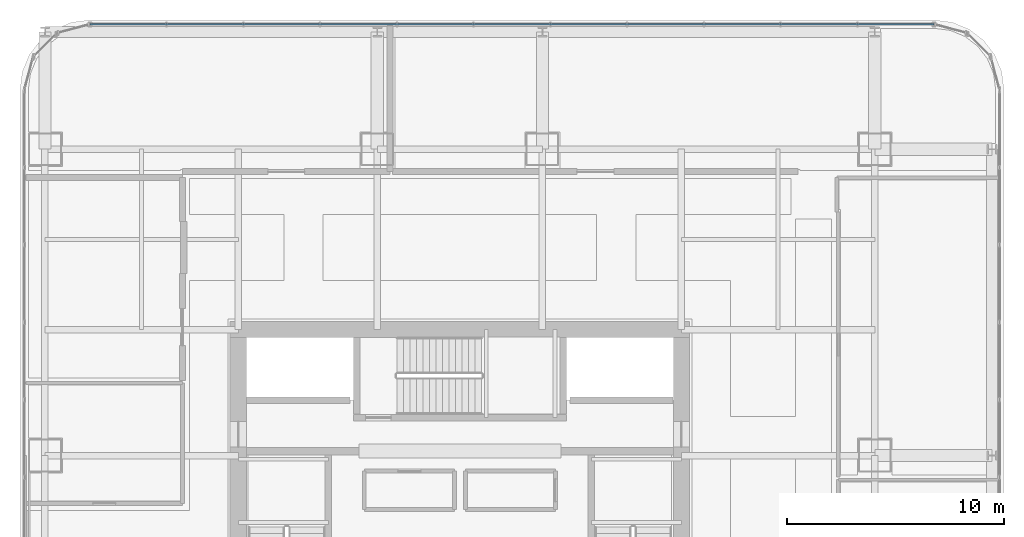
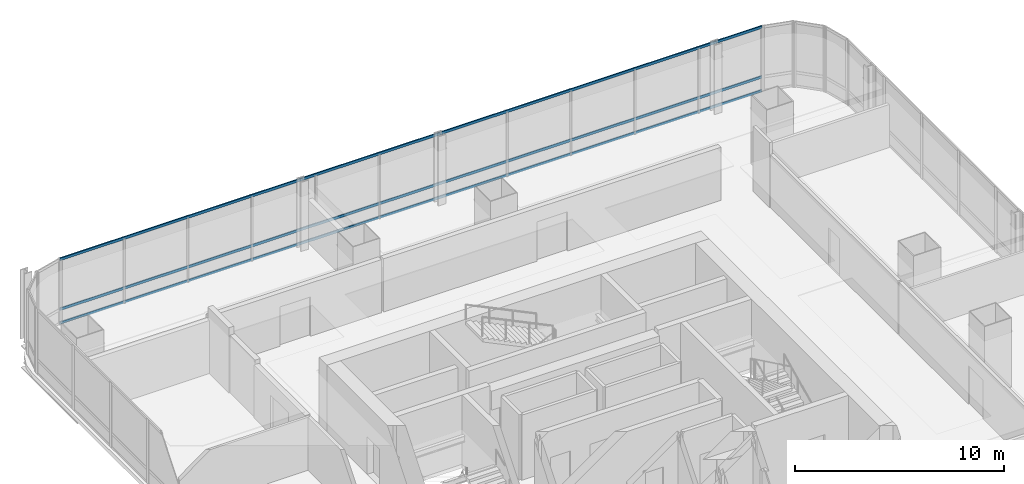
# One storey, part 22 of 34: 3 members, 1 element without a shape of its own.
"""IFC4 building model written with IfcOpenShell, lengths in metres."""

from ifc_helpers import new_model, si_unit, direction, frame, origin, origin_2d, place, context, subcontext, project, spatial, hollow_rectangle, extrude, material, material_profile, profile_set, type_object, element, aggregate, save


model = new_model("IFC4")

# Units and contexts
model_context = context("Model", 3, precision=1e-05, world=origin(), true_north=direction((0.0, 1.0)))
body_context = subcontext(model_context, "Body", "Model", "MODEL_VIEW")
ifc_project = project(units=[si_unit("LENGTHUNIT", "METRE"), si_unit("AREAUNIT", "SQUARE_METRE"), si_unit("VOLUMEUNIT", "CUBIC_METRE"), si_unit("PLANEANGLEUNIT", "RADIAN"), si_unit("MASSUNIT", "GRAM", prefix="KILO")], contexts=[model_context])

# Site, building, storey
site_placement = place(None, origin())
site = spatial("IfcSite", under=ifc_project, at=site_placement, CompositionType="ELEMENT")
building_placement = place(site_placement, origin())
building = spatial("IfcBuilding", under=site, at=building_placement, Name="Punatoya Terracotta Tower", CompositionType="ELEMENT")
storey_placement = place(building_placement, frame((0.0, 0.0, 101.10009765625)))
storey = spatial("IfcBuildingStorey", under=building, at=storey_placement, Name="L23", CompositionType="ELEMENT", Elevation=101.10009765625)

# Curtain wall, members
ifc_material_1 = material(Name="Aluminium 6063-T6 + Double Low-E Glass", Category="aluminium")
curtain_wall_type = type_object("IfcCurtainWallType", Name="CW-M1", PredefinedType="NOTDEFINED", material=ifc_material_1)
curtain_wall_placement = place(storey_placement, origin())
curtain_wall = element("IfcCurtainWall", 1, at=curtain_wall_placement, inside=storey, type_object=curtain_wall_type, Name="L23 Curtain Wall CW-L23-N09-1", PredefinedType="NOTDEFINED")
ifc_material_2 = material(Name="Aluminium 6063-T6", Category="aluminium")
ifc_material_profile = material_profile(ifc_material_2, hollow_rectangle(XDim=0.068115234375, YDim=0.14990234375, WallThickness=0.00390625, at=origin_2d()))
ifc_profile_set = profile_set([ifc_material_profile], Name="Aluminium 6063-T6")
member_type = type_object("IfcMemberType", Name="CW-TRN-TYP", PredefinedType="USERDEFINED", material=ifc_profile_set)
member_1_placement = place(storey_placement, frame((21.8369140625, 23.25, 0.039794921875), z_axis=(-1.0, 0.0, 0.0), x_axis=(0.0, -1.0, 0.0)))
member_1 = element("IfcMember", 2, at=member_1_placement, type_object=member_type, Name="CW-L23-N09-1 Transom 1", ObjectType="TRANSOM", PredefinedType="USERDEFINED", context=body_context, shape_type="SweptSolid", body=[
    extrude(hollow_rectangle(XDim=0.068115234375, YDim=0.14990234375, WallThickness=0.00390625, at=origin_2d()), origin(), (0.0, 0.0, 1.0), 38.873779296875),
])
member_2_placement = place(storey_placement, frame((21.8369140625, 23.25, 0.849853515625), z_axis=(-1.0, 0.0, 0.0), x_axis=(0.0, -1.0, 0.0)))
member_2 = element("IfcMember", 3, at=member_2_placement, type_object=member_type, Name="CW-L23-N09-1 Transom 2", ObjectType="TRANSOM", PredefinedType="USERDEFINED", context=body_context, shape_type="SweptSolid", body=[
    extrude(hollow_rectangle(XDim=0.068115234375, YDim=0.14990234375, WallThickness=0.00390625, at=origin_2d()), origin(), (0.0, 0.0, 1.0), 38.873779296875),
])
member_3_placement = place(storey_placement, frame((21.8369140625, 23.25, 3.77001953125), z_axis=(-1.0, 0.0, 0.0), x_axis=(0.0, -1.0, 0.0)))
member_3 = element("IfcMember", 4, at=member_3_placement, type_object=member_type, Name="CW-L23-N09-1 Transom 3", ObjectType="TRANSOM", PredefinedType="USERDEFINED", context=body_context, shape_type="SweptSolid", body=[
    extrude(hollow_rectangle(XDim=0.068115234375, YDim=0.14990234375, WallThickness=0.00390625, at=origin_2d()), origin(), (0.0, 0.0, 1.0), 38.873779296875),
])
aggregate(curtain_wall, [member_1, member_2, member_3])

save(model, "model.ifc")
